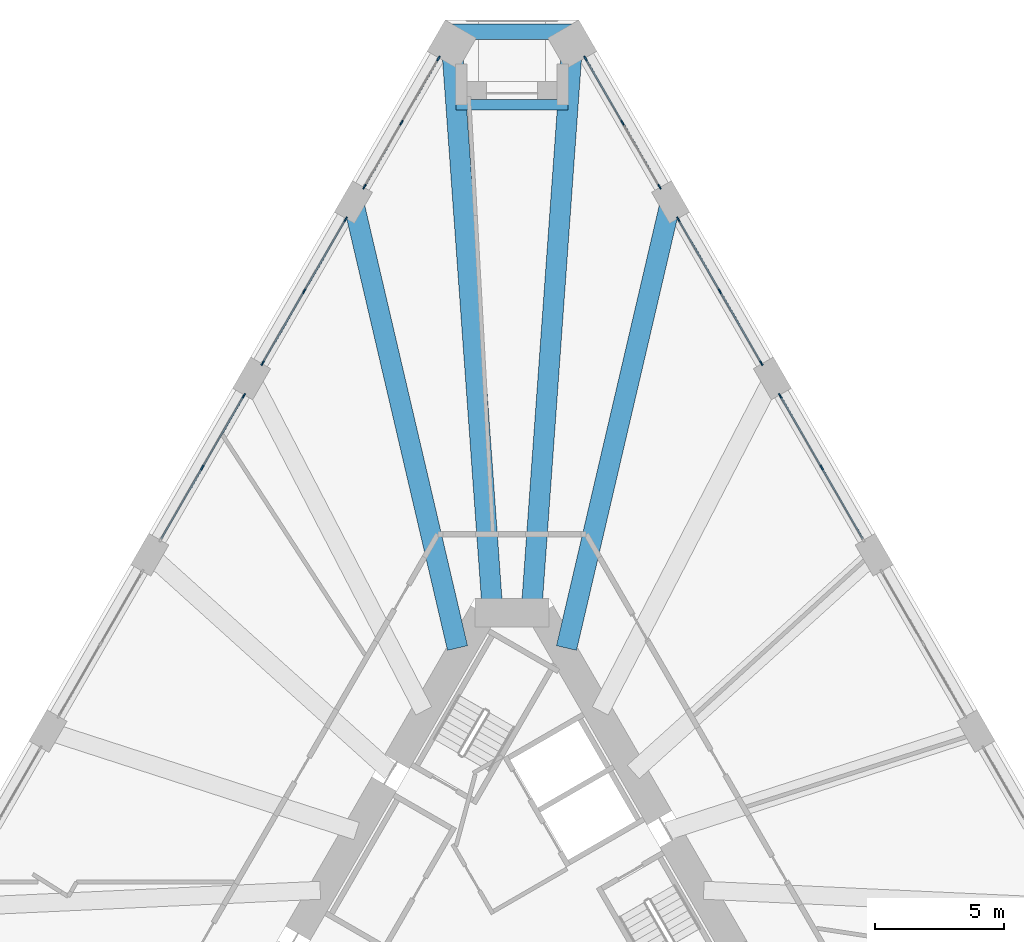
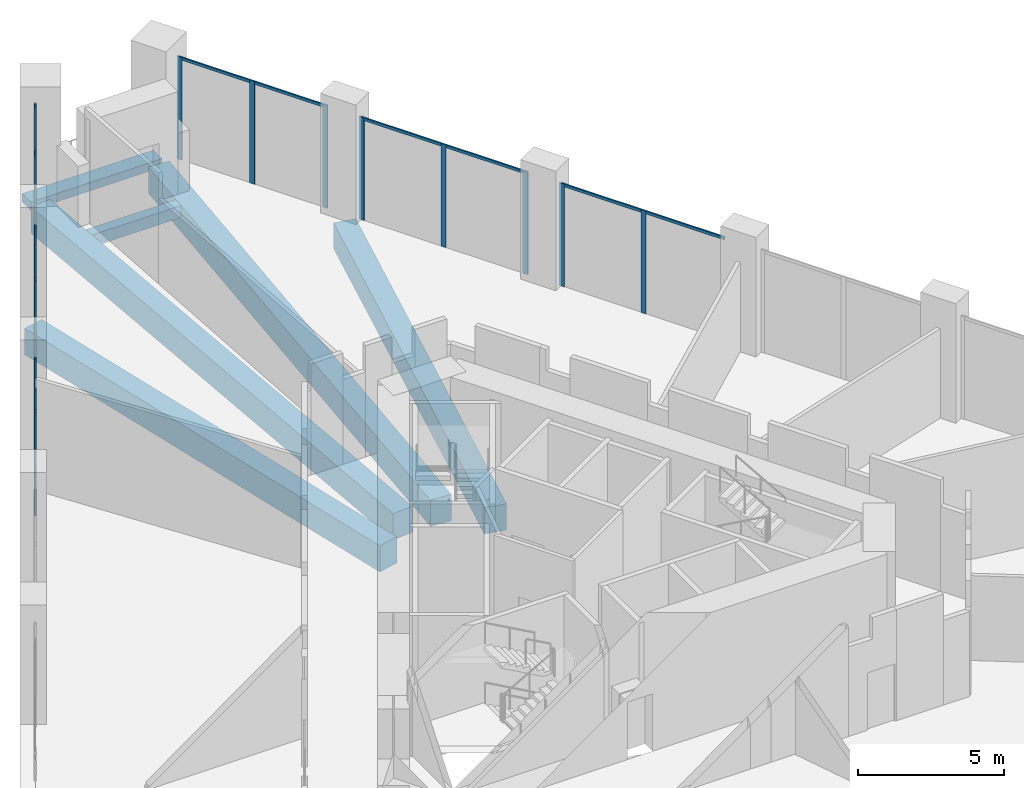
# One storey, part 11 of 20: 28 members, 6 beams, 6 elements without a shape of their own.
"""IFC4 building model written with IfcOpenShell, lengths in metres."""

import ifcopenshell
import ifcopenshell.guid

model = None  # the IFC model being written
_history = None  # IfcOwnerHistory: only IFC2X3 demands one
_inside = {}  # id of a spatial element -> (the spatial element, [elements in it])
_under = {}  # id of a project, library or spatial element -> (it, [spatial elements below it])
_declared = {}  # id of a project -> (the project, [libraries it declares])
_typed = {}  # id of a type object -> (the type object, [elements of that type])
_made_of = {}  # id of a material, layer set ... -> (it, [elements and type objects made of it])


def new_model(schema):
    """Start an empty IFC model of exactly this schema.

    Asked for "IFC4X3", IfcOpenShell would pick the latest addendum, in which some entities
    have other attributes; the version numbers below select the first issue.
    IFC2X3 requires an IfcOwnerHistory on every rooted entity: one is made here for all.
    """
    global model, _history
    if schema == "IFC4X3":
        model = ifcopenshell.file(schema_version=(4, 3, 0, 0))
    else:
        model = ifcopenshell.file(schema=schema)
    _inside.clear()
    _under.clear()
    _declared.clear()
    _typed.clear()
    _made_of.clear()
    _history = None
    if model.schema == "IFC2X3":
        org = make("IfcOrganization", Name="unknown")
        user = make(
            "IfcPersonAndOrganization",
            ThePerson=make("IfcPerson", FamilyName="unknown"),
            TheOrganization=org,
        )
        app = make(
            "IfcApplication",
            ApplicationDeveloper=org,
            Version="unknown",
            ApplicationFullName="unknown",
            ApplicationIdentifier="unknown",
        )
        _history = make(
            "IfcOwnerHistory",
            OwningUser=user,
            OwningApplication=app,
            ChangeAction="ADDED",
            CreationDate=0,
        )
    return model


def make(cls, **values):
    """One entity of the class cls with the attributes given. An attribute that is None is left unset."""
    return model.create_entity(
        cls, **{name: value for name, value in values.items() if value is not None}
    )


def rooted(cls, **values):
    """An entity with a GlobalId (a new one), such as an element, a storey or a relation."""
    return make(cls, GlobalId=ifcopenshell.guid.new(), OwnerHistory=_history, **values)


def si_unit(unit_type, name, prefix=None):
    """IfcSIUnit, for example si_unit("LENGTHUNIT", "METRE", prefix="MILLI")."""
    return make("IfcSIUnit", UnitType=unit_type, Prefix=prefix, Name=name)


def assignment(units):
    """IfcUnitAssignment: the units of a project."""
    return None if units is None else make("IfcUnitAssignment", Units=units)


def point(xyz):
    """IfcCartesianPoint."""
    return None if xyz is None else make("IfcCartesianPoint", Coordinates=xyz)


def direction(xyz):
    """IfcDirection."""
    return None if xyz is None else make("IfcDirection", DirectionRatios=xyz)


def frame(location, z_axis=None, x_axis=None):
    """IfcAxis2Placement3D, a coordinate frame: its origin and axes. An axis left out is left unset."""
    return make(
        "IfcAxis2Placement3D",
        Location=point(location),
        Axis=direction(z_axis),
        RefDirection=direction(x_axis),
    )


def frame_2d(location, x_axis=None):
    """IfcAxis2Placement2D, a coordinate frame in the plane: its origin and x axis."""
    return make(
        "IfcAxis2Placement2D", Location=point(location), RefDirection=direction(x_axis)
    )


def origin():
    """The frame at (0, 0, 0) with its axes left unset."""
    return frame((0.0, 0.0, 0.0))


def origin_2d():
    """The frame at (0, 0) in the plane with its x axis left unset."""
    return frame_2d((0.0, 0.0))


def place(relative_to, where):
    """IfcLocalPlacement: puts the frame where relative to a parent placement (None: the world)."""
    return make(
        "IfcLocalPlacement", PlacementRelTo=relative_to, RelativePlacement=where
    )


def context(
    kind, dimensions, precision=None, world=None, true_north=None, identifier=None
):
    """IfcGeometricRepresentationContext, for example the 3D "Model" context."""
    return make(
        "IfcGeometricRepresentationContext",
        ContextIdentifier=identifier,
        ContextType=kind,
        CoordinateSpaceDimension=dimensions,
        Precision=precision,
        WorldCoordinateSystem=world,
        TrueNorth=true_north,
    )


def subcontext(parent, identifier, kind, view, scale=None):
    """IfcGeometricRepresentationSubContext, for example "Body" below "Model"."""
    return make(
        "IfcGeometricRepresentationSubContext",
        ContextIdentifier=identifier,
        ContextType=kind,
        ParentContext=parent,
        TargetScale=scale,
        TargetView=view,
    )


def project(units=None, contexts=None):
    """IfcProject with its units and contexts."""
    return rooted(
        "IfcProject",
        Name="project",
        RepresentationContexts=contexts,
        UnitsInContext=assignment(units),
    )


def spatial(cls, under=None, at=None, **own):
    """A site, building, storey or space (cls), placed at a placement, below another one or the project."""
    s = rooted(cls, ObjectPlacement=at, **own)
    if under is not None:
        _under.setdefault(under.id(), (under, []))[1].append(s)
    return s


def profile(cls, at=None, kind="AREA", **sizes):
    """A parametric profile (cls). Its sizes go by their IFC names, for example OverallWidth=200.0."""
    return make(cls, ProfileType=kind, Position=at, **sizes)


def rectangle(**sizes):
    """IfcRectangleProfileDef."""
    return profile("IfcRectangleProfileDef", **sizes)


def extrude(swept, where, along, depth):
    """IfcExtrudedAreaSolid: the profile swept, set in the frame where, extruded along a direction by depth."""
    return make(
        "IfcExtrudedAreaSolid",
        SweptArea=swept,
        Position=where,
        ExtrudedDirection=direction(along),
        Depth=depth,
    )


def shape(context_of_items, identifier, shape_type, items):
    """IfcShapeRepresentation: the items that make up one representation, for example the "Body"."""
    return make(
        "IfcShapeRepresentation",
        ContextOfItems=context_of_items,
        RepresentationIdentifier=identifier,
        RepresentationType=shape_type,
        Items=items,
    )


def material(Name=None, Category=None):
    """IfcMaterial."""
    return make("IfcMaterial", Name=Name, Category=Category)


def layer(
    of_material, thickness, ventilated=None, Name=None, Category=None, Priority=None
):
    """IfcMaterialLayer: one layer of a wall or slab, of a material (None: an air gap)."""
    return make(
        "IfcMaterialLayer",
        Material=of_material,
        LayerThickness=thickness,
        IsVentilated=ventilated,
        Name=Name,
        Category=Category,
        Priority=Priority,
    )


def layer_set(layers, Name=None):
    """IfcMaterialLayerSet."""
    return make("IfcMaterialLayerSet", MaterialLayers=layers, LayerSetName=Name)


def material_profile(
    of_material, cross_section, Name=None, Category=None, Priority=None
):
    """IfcMaterialProfile: a cross section and its material."""
    return make(
        "IfcMaterialProfile",
        Name=Name,
        Material=of_material,
        Profile=cross_section,
        Priority=Priority,
        Category=Category,
    )


def profile_set(profiles, Name=None, composite=None):
    """IfcMaterialProfileSet."""
    return make(
        "IfcMaterialProfileSet",
        Name=Name,
        MaterialProfiles=profiles,
        CompositeProfile=composite,
    )


def made_of(thing, what):
    """Note that an element or type object is made of a material, layer set ...; save() writes the relation."""
    if what is not None:
        _made_of.setdefault(what.id(), (what, []))[1].append(thing)
    return thing


def type_object(cls, material=None, **own):
    """A type object (cls), such as IfcWallType, which elements share."""
    return made_of(rooted(cls, **own), material)


def element(
    cls,
    number,
    at=None,
    inside=None,
    cuts=None,
    type_object=None,
    material=None,
    context=None,
    identifier="Body",
    shape_type=None,
    held_by="IfcProductDefinitionShape",
    body=None,
    shapes=None,
    **own,
):
    """One element of the class cls, such as IfcWall. Its Tag is "e" and its number.

    at: its placement. inside: the storey or other place that contains it. cuts: it is an
    opening in that element (IfcRelVoidsElement). A single representation is given by context,
    identifier, shape_type and body (its items); several are given by shapes. held_by: the class
    of the entity that holds the representations. save() writes the other relations.
    """
    e = rooted(cls, Tag="e%d" % number, ObjectPlacement=at, **own)
    if body is not None:
        shapes = [shape(context, identifier, shape_type, body)]
    if shapes is not None:
        e.Representation = make(held_by, Representations=shapes)
    if inside is not None:
        _inside.setdefault(inside.id(), (inside, []))[1].append(e)
    if cuts is not None:
        rooted(
            "IfcRelVoidsElement", RelatingBuildingElement=cuts, RelatedOpeningElement=e
        )
    if type_object is not None:
        _typed.setdefault(type_object.id(), (type_object, []))[1].append(e)
    return made_of(e, material)


def aggregate(whole, parts):
    """IfcRelAggregates: a whole, such as a stair, and the parts it consists of."""
    return rooted("IfcRelAggregates", RelatingObject=whole, RelatedObjects=parts)


def save(model, path):
    """Write the relations noted so far, then the file.

    IfcRelAggregates (storeys below a building ...), IfcRelContainedInSpatialStructure (elements
    in a storey), IfcRelDefinesByType, IfcRelAssociatesMaterial and IfcRelDeclares: one each for
    every whole, place, type object, material and project.
    """
    for whole, parts in _under.values():
        aggregate(whole, parts)
    for where, things in _inside.values():
        rooted(
            "IfcRelContainedInSpatialStructure",
            RelatedElements=things,
            RelatingStructure=where,
        )
    for kind, things in _typed.values():
        rooted("IfcRelDefinesByType", RelatedObjects=things, RelatingType=kind)
    for what, things in _made_of.values():
        rooted("IfcRelAssociatesMaterial", RelatedObjects=things, RelatingMaterial=what)
    for by, libraries in _declared.values():
        rooted("IfcRelDeclares", RelatingContext=by, RelatedDefinitions=libraries)
    model.write(path)


model = new_model("IFC4")

# Units and contexts
model_context = context("Model", 3, precision=1e-05, world=origin(), true_north=direction((0.0, 1.0)))
body_context = subcontext(model_context, "Body", "Model", "MODEL_VIEW")
ifc_project = project(units=[si_unit("LENGTHUNIT", "METRE"), si_unit("AREAUNIT", "SQUARE_METRE"), si_unit("VOLUMEUNIT", "CUBIC_METRE"), si_unit("PLANEANGLEUNIT", "RADIAN"), si_unit("MASSUNIT", "GRAM", prefix="KILO")], contexts=[model_context])

# Site, building, storey
site_placement = place(None, origin())
site = spatial("IfcSite", under=ifc_project, at=site_placement, CompositionType="ELEMENT")
building_placement = place(site_placement, origin())
building = spatial("IfcBuilding", under=site, at=building_placement, Name="Tramontana Tower", CompositionType="ELEMENT")
storey_placement = place(building_placement, frame((0.0, 0.0, 10.0)))
storey = spatial("IfcBuildingStorey", under=building, at=storey_placement, Name="L01", CompositionType="ELEMENT", Elevation=10.0)

# Curtain wall, members
ifc_material_1 = material(Name="Aluminum extrusion", Category="aluminium")
ifc_layer = layer(ifc_material_1, 0.14990234375)
ifc_layer_set = layer_set([ifc_layer], Name="CW2 Podium amenity curtain wall")
curtain_wall_type = type_object("IfcCurtainWallType", Name="CW2 Podium amenity curtain wall", PredefinedType="NOTDEFINED", material=ifc_layer_set)
curtain_wall_1_placement = place(storey_placement, origin())
curtain_wall_1 = element("IfcCurtainWall", 1, at=curtain_wall_1_placement, inside=storey, type_object=curtain_wall_type, Name="CW2 curtain wall L01 face 0 bay 1", PredefinedType="NOTDEFINED")
ifc_material_2 = material(Name="Aluminum extrusion", Category="aluminium")
ifc_material_profile_1 = material_profile(ifc_material_2, rectangle(XDim=0.06005859375, YDim=0.199951171875, at=origin_2d()), Name="CW2-M Mullion 60 x 200")
ifc_profile_set_1 = profile_set([ifc_material_profile_1], Name="Aluminum extrusion")
member_type_1 = type_object("IfcMemberType", Name="CW2-M Mullion 60 x 200", PredefinedType="MULLION", material=ifc_profile_set_1)
member_1_placement = place(storey_placement, frame((-2.8583984375, 31.9990234375, 0.0), z_axis=(0.0, 0.0, 1.0), x_axis=(0.866025403784, -0.5, 0.0)))
member_1 = element("IfcMember", 2, at=member_1_placement, type_object=member_type_1, Name="CW2 curtain wall L01 face 0 bay 1 mullion 1", PredefinedType="MULLION", context=body_context, shape_type="SweptSolid", body=[
    extrude(rectangle(XDim=0.06005859375, YDim=0.199951171875, at=origin_2d()), origin(), (0.0, 0.0, 1.0), 4.300048828125),
])
member_2_placement = place(storey_placement, frame((-4.2978515625, 29.505859375, 0.0), z_axis=(0.0, 0.0, 1.0), x_axis=(0.866025403784, -0.5, 0.0)))
member_2 = element("IfcMember", 3, at=member_2_placement, type_object=member_type_1, Name="CW2 curtain wall L01 face 0 bay 1 mullion 2", PredefinedType="MULLION", context=body_context, shape_type="SweptSolid", body=[
    extrude(rectangle(XDim=0.06005859375, YDim=0.199951171875, at=origin_2d()), origin(), (0.0, 0.0, 1.0), 4.300048828125),
])
member_3_placement = place(storey_placement, frame((-5.7373046875, 27.012451171875, 0.0), z_axis=(0.0, 0.0, 1.0), x_axis=(0.866025403784, -0.5, 0.0)))
member_3 = element("IfcMember", 4, at=member_3_placement, type_object=member_type_1, Name="CW2 curtain wall L01 face 0 bay 1 mullion 3", PredefinedType="MULLION", context=body_context, shape_type="SweptSolid", body=[
    extrude(rectangle(XDim=0.06005859375, YDim=0.199951171875, at=origin_2d()), origin(), (0.0, 0.0, 1.0), 4.300048828125),
])

curtain_wall_2_placement = place(storey_placement, origin())
curtain_wall_2 = element("IfcCurtainWall", 5, at=curtain_wall_2_placement, inside=storey, type_object=curtain_wall_type, Name="CW2 curtain wall L01 face 0 bay 2", PredefinedType="NOTDEFINED")
member_4_placement = place(storey_placement, frame((-6.46728515625, 25.748046875, 0.0), z_axis=(0.0, 0.0, 1.0), x_axis=(0.866025403784, -0.5, 0.0)))
member_4 = element("IfcMember", 6, at=member_4_placement, type_object=member_type_1, Name="CW2 curtain wall L01 face 0 bay 2 mullion 1", PredefinedType="MULLION", context=body_context, shape_type="SweptSolid", body=[
    extrude(rectangle(XDim=0.06005859375, YDim=0.199951171875, at=origin_2d()), origin(), (0.0, 0.0, 1.0), 4.300048828125),
])
member_5_placement = place(storey_placement, frame((-8.081787109375, 22.951904296875, 0.0), z_axis=(0.0, 0.0, 1.0), x_axis=(0.866025403784, -0.5, 0.0)))
member_5 = element("IfcMember", 7, at=member_5_placement, type_object=member_type_1, Name="CW2 curtain wall L01 face 0 bay 2 mullion 2", PredefinedType="MULLION", context=body_context, shape_type="SweptSolid", body=[
    extrude(rectangle(XDim=0.06005859375, YDim=0.199951171875, at=origin_2d()), origin(), (0.0, 0.0, 1.0), 4.300048828125),
])
member_6_placement = place(storey_placement, frame((-9.6962890625, 20.155517578125, 0.0), z_axis=(0.0, 0.0, 1.0), x_axis=(0.866025403784, -0.5, 0.0)))
member_6 = element("IfcMember", 8, at=member_6_placement, type_object=member_type_1, Name="CW2 curtain wall L01 face 0 bay 2 mullion 3", PredefinedType="MULLION", context=body_context, shape_type="SweptSolid", body=[
    extrude(rectangle(XDim=0.06005859375, YDim=0.199951171875, at=origin_2d()), origin(), (0.0, 0.0, 1.0), 4.300048828125),
])

curtain_wall_3_placement = place(storey_placement, origin())
curtain_wall_3 = element("IfcCurtainWall", 9, at=curtain_wall_3_placement, inside=storey, type_object=curtain_wall_type, Name="CW2 curtain wall L01 face 0 bay 3", PredefinedType="NOTDEFINED")
member_7_placement = place(storey_placement, frame((-10.42626953125, 18.89111328125, 0.0), z_axis=(0.0, 0.0, 1.0), x_axis=(0.866025403784, -0.5, 0.0)))
member_7 = element("IfcMember", 10, at=member_7_placement, type_object=member_type_1, Name="CW2 curtain wall L01 face 0 bay 3 mullion 1", PredefinedType="MULLION", context=body_context, shape_type="SweptSolid", body=[
    extrude(rectangle(XDim=0.06005859375, YDim=0.199951171875, at=origin_2d()), origin(), (0.0, 0.0, 1.0), 4.300048828125),
])
member_8_placement = place(storey_placement, frame((-12.040771484375, 16.0947265625, 0.0), z_axis=(0.0, 0.0, 1.0), x_axis=(0.866025403784, -0.5, 0.0)))
member_8 = element("IfcMember", 11, at=member_8_placement, type_object=member_type_1, Name="CW2 curtain wall L01 face 0 bay 3 mullion 2", PredefinedType="MULLION", context=body_context, shape_type="SweptSolid", body=[
    extrude(rectangle(XDim=0.06005859375, YDim=0.199951171875, at=origin_2d()), origin(), (0.0, 0.0, 1.0), 4.300048828125),
])

curtain_wall_4_placement = place(storey_placement, origin())
curtain_wall_4 = element("IfcCurtainWall", 12, at=curtain_wall_4_placement, inside=storey, type_object=curtain_wall_type, Name="CW2 curtain wall L01 face 2 bay 5", PredefinedType="NOTDEFINED")
member_9_placement = place(storey_placement, frame((12.040771484375, 16.0947265625, 0.0), z_axis=(0.0, 0.0, 1.0), x_axis=(-0.866025403784, -0.5, 0.0)))
member_9 = element("IfcMember", 13, at=member_9_placement, type_object=member_type_1, Name="CW2 curtain wall L01 face 2 bay 5 mullion 2", PredefinedType="MULLION", context=body_context, shape_type="SweptSolid", body=[
    extrude(rectangle(XDim=0.06005859375, YDim=0.199951171875, at=origin_2d()), origin(), (0.0, 0.0, 1.0), 4.300048828125),
])
member_10_placement = place(storey_placement, frame((10.42626953125, 18.89111328125, 0.0), z_axis=(0.0, 0.0, 1.0), x_axis=(-0.866025403784, -0.5, 0.0)))
member_10 = element("IfcMember", 14, at=member_10_placement, type_object=member_type_1, Name="CW2 curtain wall L01 face 2 bay 5 mullion 3", PredefinedType="MULLION", context=body_context, shape_type="SweptSolid", body=[
    extrude(rectangle(XDim=0.06005859375, YDim=0.199951171875, at=origin_2d()), origin(), (0.0, 0.0, 1.0), 4.300048828125),
])

curtain_wall_5_placement = place(storey_placement, origin())
curtain_wall_5 = element("IfcCurtainWall", 15, at=curtain_wall_5_placement, inside=storey, type_object=curtain_wall_type, Name="CW2 curtain wall L01 face 2 bay 6", PredefinedType="NOTDEFINED")
member_11_placement = place(storey_placement, frame((9.6962890625, 20.155517578125, 0.0), z_axis=(0.0, 0.0, 1.0), x_axis=(-0.866025403784, -0.5, 0.0)))
member_11 = element("IfcMember", 16, at=member_11_placement, type_object=member_type_1, Name="CW2 curtain wall L01 face 2 bay 6 mullion 1", PredefinedType="MULLION", context=body_context, shape_type="SweptSolid", body=[
    extrude(rectangle(XDim=0.06005859375, YDim=0.199951171875, at=origin_2d()), origin(), (0.0, 0.0, 1.0), 4.300048828125),
])
member_12_placement = place(storey_placement, frame((8.081787109375, 22.951904296875, 0.0), z_axis=(0.0, 0.0, 1.0), x_axis=(-0.866025403784, -0.5, 0.0)))
member_12 = element("IfcMember", 17, at=member_12_placement, type_object=member_type_1, Name="CW2 curtain wall L01 face 2 bay 6 mullion 2", PredefinedType="MULLION", context=body_context, shape_type="SweptSolid", body=[
    extrude(rectangle(XDim=0.06005859375, YDim=0.199951171875, at=origin_2d()), origin(), (0.0, 0.0, 1.0), 4.300048828125),
])
member_13_placement = place(storey_placement, frame((6.46728515625, 25.748046875, 0.0), z_axis=(0.0, 0.0, 1.0), x_axis=(-0.866025403784, -0.5, 0.0)))
member_13 = element("IfcMember", 18, at=member_13_placement, type_object=member_type_1, Name="CW2 curtain wall L01 face 2 bay 6 mullion 3", PredefinedType="MULLION", context=body_context, shape_type="SweptSolid", body=[
    extrude(rectangle(XDim=0.06005859375, YDim=0.199951171875, at=origin_2d()), origin(), (0.0, 0.0, 1.0), 4.300048828125),
])

curtain_wall_6_placement = place(storey_placement, origin())
curtain_wall_6 = element("IfcCurtainWall", 19, at=curtain_wall_6_placement, inside=storey, type_object=curtain_wall_type, Name="CW2 curtain wall L01 face 2 bay 7", PredefinedType="NOTDEFINED")
member_14_placement = place(storey_placement, frame((5.7373046875, 27.012451171875, 0.0), z_axis=(0.0, 0.0, 1.0), x_axis=(-0.866025403784, -0.5, 0.0)))
member_14 = element("IfcMember", 20, at=member_14_placement, type_object=member_type_1, Name="CW2 curtain wall L01 face 2 bay 7 mullion 1", PredefinedType="MULLION", context=body_context, shape_type="SweptSolid", body=[
    extrude(rectangle(XDim=0.06005859375, YDim=0.199951171875, at=origin_2d()), origin(), (0.0, 0.0, 1.0), 4.300048828125),
])
member_15_placement = place(storey_placement, frame((4.2978515625, 29.505859375, 0.0), z_axis=(0.0, 0.0, 1.0), x_axis=(-0.866025403784, -0.5, 0.0)))
member_15 = element("IfcMember", 21, at=member_15_placement, type_object=member_type_1, Name="CW2 curtain wall L01 face 2 bay 7 mullion 2", PredefinedType="MULLION", context=body_context, shape_type="SweptSolid", body=[
    extrude(rectangle(XDim=0.06005859375, YDim=0.199951171875, at=origin_2d()), origin(), (0.0, 0.0, 1.0), 4.300048828125),
])
member_16_placement = place(storey_placement, frame((2.8583984375, 31.9990234375, 0.0), z_axis=(0.0, 0.0, 1.0), x_axis=(-0.866025403784, -0.5, 0.0)))
member_16 = element("IfcMember", 22, at=member_16_placement, type_object=member_type_1, Name="CW2 curtain wall L01 face 2 bay 7 mullion 3", PredefinedType="MULLION", context=body_context, shape_type="SweptSolid", body=[
    extrude(rectangle(XDim=0.06005859375, YDim=0.199951171875, at=origin_2d()), origin(), (0.0, 0.0, 1.0), 4.300048828125),
])

# Member
ifc_material_3 = material(Name="Aluminum extrusion", Category="aluminium")
ifc_material_profile_2 = material_profile(ifc_material_3, rectangle(XDim=0.06005859375, YDim=0.1201171875, at=origin_2d()), Name="CW2-T Transom 60 x 120")
ifc_profile_set_2 = profile_set([ifc_material_profile_2], Name="Aluminum extrusion")
member_type_2 = type_object("IfcMemberType", Name="CW2-T Transom 60 x 120", PredefinedType="USERDEFINED", material=ifc_profile_set_2)
member_17_placement = place(storey_placement, frame((-2.873291015625, 31.97314453125, 4.239990234375), z_axis=(-0.500032300065, -0.86600675453, 0.0), x_axis=(0.86600675453, -0.500032300065, 0.0)))
member_17 = element("IfcMember", 23, at=member_17_placement, type_object=member_type_2, Name="CW2 curtain wall L01 face 0 bay 1 transom 1.1", ObjectType="TRANSOM", PredefinedType="USERDEFINED", context=body_context, shape_type="SweptSolid", body=[
    extrude(rectangle(XDim=0.06005859375, YDim=0.1201171875, at=origin_2d()), origin(), (0.0, 0.0, 1.0), 2.819091796875),
])

member_18_placement = place(storey_placement, frame((-4.31298828125, 29.479736328125, 4.239990234375), z_axis=(-0.500004849665, -0.866022603811, 0.0), x_axis=(0.866022603811, -0.500004849665, 0.0)))
member_18 = element("IfcMember", 24, at=member_18_placement, type_object=member_type_2, Name="CW2 curtain wall L01 face 0 bay 1 transom 2.1", ObjectType="TRANSOM", PredefinedType="USERDEFINED", context=body_context, shape_type="SweptSolid", body=[
    extrude(rectangle(XDim=0.06005859375, YDim=0.1201171875, at=origin_2d()), origin(), (0.0, 0.0, 1.0), 2.81884765625),
])

aggregate(curtain_wall_1, [member_1, member_2, member_3, member_17, member_18])

member_19_placement = place(storey_placement, frame((-6.482421875, 25.72216796875, 4.239990234375), z_axis=(-0.500000324964, -0.866025216166, 0.0), x_axis=(0.866025216166, -0.500000324964, 0.0)))
member_19 = element("IfcMember", 25, at=member_19_placement, type_object=member_type_2, Name="CW2 curtain wall L01 face 0 bay 2 transom 1.1", ObjectType="TRANSOM", PredefinedType="USERDEFINED", context=body_context, shape_type="SweptSolid", body=[
    extrude(rectangle(XDim=0.06005859375, YDim=0.1201171875, at=origin_2d()), origin(), (0.0, 0.0, 1.0), 3.1689453125),
])

member_20_placement = place(storey_placement, frame((-8.096923828125, 22.92578125, 4.239990234375), z_axis=(-0.500000324964, -0.866025216166, 0.0), x_axis=(0.866025216166, -0.500000324964, 0.0)))
member_20 = element("IfcMember", 26, at=member_20_placement, type_object=member_type_2, Name="CW2 curtain wall L01 face 0 bay 2 transom 2.1", ObjectType="TRANSOM", PredefinedType="USERDEFINED", context=body_context, shape_type="SweptSolid", body=[
    extrude(rectangle(XDim=0.06005859375, YDim=0.1201171875, at=origin_2d()), origin(), (0.0, 0.0, 1.0), 3.1689453125),
])

aggregate(curtain_wall_2, [member_4, member_5, member_6, member_19, member_20])

member_21_placement = place(storey_placement, frame((-10.44140625, 18.864990234375, 4.239990234375), z_axis=(-0.500000324964, -0.866025216166, 0.0), x_axis=(0.866025216166, -0.500000324964, 0.0)))
member_21 = element("IfcMember", 27, at=member_21_placement, type_object=member_type_2, Name="CW2 curtain wall L01 face 0 bay 3 transom 1.1", ObjectType="TRANSOM", PredefinedType="USERDEFINED", context=body_context, shape_type="SweptSolid", body=[
    extrude(rectangle(XDim=0.06005859375, YDim=0.1201171875, at=origin_2d()), origin(), (0.0, 0.0, 1.0), 3.1689453125),
])

member_22_placement = place(storey_placement, frame((-12.055908203125, 16.068603515625, 4.239990234375), z_axis=(-0.500000324964, -0.866025216166, 0.0), x_axis=(0.866025216166, -0.500000324964, 0.0)))
member_22 = element("IfcMember", 28, at=member_22_placement, type_object=member_type_2, Name="CW2 curtain wall L01 face 0 bay 3 transom 2.1", ObjectType="TRANSOM", PredefinedType="USERDEFINED", context=body_context, shape_type="SweptSolid", body=[
    extrude(rectangle(XDim=0.06005859375, YDim=0.1201171875, at=origin_2d()), origin(), (0.0, 0.0, 1.0), 3.1689453125),
])

aggregate(curtain_wall_3, [member_7, member_8, member_21, member_22])

member_23_placement = place(storey_placement, frame((13.640380859375, 13.32421875, 4.239990234375), z_axis=(-0.500000324964, 0.866025216166, 0.0), x_axis=(-0.866025216166, -0.500000324964, 0.0)))
member_23 = element("IfcMember", 29, at=member_23_placement, type_object=member_type_2, Name="CW2 curtain wall L01 face 2 bay 5 transom 1.1", ObjectType="TRANSOM", PredefinedType="USERDEFINED", context=body_context, shape_type="SweptSolid", body=[
    extrude(rectangle(XDim=0.06005859375, YDim=0.1201171875, at=origin_2d()), origin(), (0.0, 0.0, 1.0), 3.1689453125),
])

member_24_placement = place(storey_placement, frame((12.02587890625, 16.12060546875, 4.239990234375), z_axis=(-0.500000324964, 0.866025216166, 0.0), x_axis=(-0.866025216166, -0.500000324964, 0.0)))
member_24 = element("IfcMember", 30, at=member_24_placement, type_object=member_type_2, Name="CW2 curtain wall L01 face 2 bay 5 transom 2.1", ObjectType="TRANSOM", PredefinedType="USERDEFINED", context=body_context, shape_type="SweptSolid", body=[
    extrude(rectangle(XDim=0.06005859375, YDim=0.1201171875, at=origin_2d()), origin(), (0.0, 0.0, 1.0), 3.1689453125),
])

aggregate(curtain_wall_4, [member_9, member_10, member_23, member_24])

member_25_placement = place(storey_placement, frame((9.681396484375, 20.181396484375, 4.239990234375), z_axis=(-0.500000324964, 0.866025216166, 0.0), x_axis=(-0.866025216166, -0.500000324964, 0.0)))
member_25 = element("IfcMember", 31, at=member_25_placement, type_object=member_type_2, Name="CW2 curtain wall L01 face 2 bay 6 transom 1.1", ObjectType="TRANSOM", PredefinedType="USERDEFINED", context=body_context, shape_type="SweptSolid", body=[
    extrude(rectangle(XDim=0.06005859375, YDim=0.1201171875, at=origin_2d()), origin(), (0.0, 0.0, 1.0), 3.1689453125),
])

member_26_placement = place(storey_placement, frame((8.06689453125, 22.977783203125, 4.239990234375), z_axis=(-0.500000324964, 0.866025216166, 0.0), x_axis=(-0.866025216166, -0.500000324964, 0.0)))
member_26 = element("IfcMember", 32, at=member_26_placement, type_object=member_type_2, Name="CW2 curtain wall L01 face 2 bay 6 transom 2.1", ObjectType="TRANSOM", PredefinedType="USERDEFINED", context=body_context, shape_type="SweptSolid", body=[
    extrude(rectangle(XDim=0.06005859375, YDim=0.1201171875, at=origin_2d()), origin(), (0.0, 0.0, 1.0), 3.1689453125),
])

aggregate(curtain_wall_5, [member_11, member_12, member_13, member_25, member_26])

member_27_placement = place(storey_placement, frame((5.722412109375, 27.03857421875, 4.239990234375), z_axis=(-0.500004849665, 0.866022603811, 0.0), x_axis=(-0.866022603811, -0.500004849665, 0.0)))
member_27 = element("IfcMember", 33, at=member_27_placement, type_object=member_type_2, Name="CW2 curtain wall L01 face 2 bay 7 transom 1.1", ObjectType="TRANSOM", PredefinedType="USERDEFINED", context=body_context, shape_type="SweptSolid", body=[
    extrude(rectangle(XDim=0.06005859375, YDim=0.1201171875, at=origin_2d()), origin(), (0.0, 0.0, 1.0), 2.81884765625),
])

member_28_placement = place(storey_placement, frame((4.282958984375, 29.53173828125, 4.239990234375), z_axis=(-0.500032300065, 0.86600675453, 0.0), x_axis=(-0.86600675453, -0.500032300065, 0.0)))
member_28 = element("IfcMember", 34, at=member_28_placement, type_object=member_type_2, Name="CW2 curtain wall L01 face 2 bay 7 transom 2.1", ObjectType="TRANSOM", PredefinedType="USERDEFINED", context=body_context, shape_type="SweptSolid", body=[
    extrude(rectangle(XDim=0.06005859375, YDim=0.1201171875, at=origin_2d()), origin(), (0.0, 0.0, 1.0), 2.819091796875),
])

aggregate(curtain_wall_6, [member_14, member_15, member_16, member_27, member_28])

# Beams
ifc_material_4 = material(Name="Concrete 40 MPa", Category="concrete")
ifc_material_profile_3 = material_profile(ifc_material_4, rectangle(XDim=0.60009765625, YDim=0.35009765625, at=origin_2d()), Name="RC EDGE BEAM 600X350 40 MPa")
ifc_profile_set_3 = profile_set([ifc_material_profile_3], Name="Concrete 40 MPa")
beam_type_1 = type_object("IfcBeamType", Name="RC EDGE BEAM 600X350 40 MPa", PredefinedType="SPANDREL", material=ifc_profile_set_3)
beam_1_placement = place(storey_placement, frame((2.59814453125, 33.050048828125, -0.52490234375), z_axis=(-1.0, 0.0, 0.0), x_axis=(0.0, -1.0, 0.0)))
element("IfcBeam", 35, at=beam_1_placement, inside=storey, type_object=beam_type_1, Name="Spandrel beam K0 L01", PredefinedType="SPANDREL", context=body_context, shape_type="SweptSolid", body=[
    extrude(rectangle(XDim=0.60009765625, YDim=0.35009765625, at=origin_2d()), origin(), (0.0, 0.0, 1.0), 5.1962890625),
])
ifc_material_5 = material(Name="Concrete 40 MPa", Category="concrete")
ifc_material_profile_4 = material_profile(ifc_material_5, rectangle(XDim=0.800048828125, YDim=1.10009765625, at=origin_2d()), Name="RC GIRDER 800X1100 40 MPa")
ifc_profile_set_4 = profile_set([ifc_material_profile_4], Name="Concrete 40 MPa")
beam_type_2 = type_object("IfcBeamType", Name="RC GIRDER 800X1100 40 MPa", PredefinedType="BEAM", material=ifc_profile_set_4)
beam_2_placement = place(storey_placement, frame((-2.341796875, 32.543701171875, -0.89990234375), z_axis=(0.071767165612, -0.997421412413, 0.0), x_axis=(0.997421412413, 0.071767165612, 0.0)))
element("IfcBeam", 36, at=beam_2_placement, inside=storey, type_object=beam_type_2, Name="Radial girder C0K1 L01", PredefinedType="BEAM", context=body_context, shape_type="SweptSolid", body=[
    extrude(rectangle(XDim=0.800048828125, YDim=1.10009765625, at=origin_2d()), origin(), (0.0, 0.0, 1.0), 22.1494140625),
])
for number, where, z_axis, x_axis, name in (
    (37, (-6.167236328125, 26.41796875, -0.89990234375), (0.227334068495, -0.973816831494, 0.0), (0.973816831494, 0.227334068495, 0.0), "Radial girder C0F01 L01"),
    (38, (6.167236328125, 26.41796875, -0.89990234375), (-0.227334068495, -0.973816831494, 0.0), (0.973816831494, -0.227334068495, 0.0), "Radial girder C0F18 L01"),
):
    element("IfcBeam", number, at=place(storey_placement, frame(where, z_axis=z_axis, x_axis=x_axis)), inside=storey, type_object=beam_type_2, Name=name, PredefinedType="BEAM", context=body_context, shape_type="SweptSolid", body=[
        extrude(rectangle(XDim=0.800048828125, YDim=1.10009765625, at=origin_2d()), origin(), (0.0, 0.0, 1.0), 17.806884765625),
    ])
beam_3_placement = place(storey_placement, frame((2.341796875, 32.543701171875, -0.89990234375), z_axis=(-0.071767165612, -0.997421412413, 0.0), x_axis=(0.997421412413, -0.071767165612, 0.0)))
element("IfcBeam", 39, at=beam_3_placement, inside=storey, type_object=beam_type_2, Name="Radial girder C0K6 L01", PredefinedType="BEAM", context=body_context, shape_type="SweptSolid", body=[
    extrude(rectangle(XDim=0.800048828125, YDim=1.10009765625, at=origin_2d()), origin(), (0.0, 0.0, 1.0), 22.1494140625),
])
ifc_material_6 = material(Name="Concrete 40 MPa", Category="concrete")
ifc_material_profile_5 = material_profile(ifc_material_6, rectangle(XDim=0.39990234375, YDim=0.5, at=origin_2d()), Name="RC TRIM BEAM 400X500 40 MPa")
ifc_profile_set_5 = profile_set([ifc_material_profile_5], Name="Concrete 40 MPa")
beam_type_3 = type_object("IfcBeamType", Name="RC TRIM BEAM 400X500 40 MPa", PredefinedType="JOIST", material=ifc_profile_set_5)
beam_4_placement = place(storey_placement, frame((2.173095703125, 30.199951171875, -0.60009765625), z_axis=(-1.0, 0.0, 0.0), x_axis=(0.0, -1.0, 0.0)))
element("IfcBeam", 40, at=beam_4_placement, inside=storey, type_object=beam_type_3, Name="Trimmer beam K0 L01", PredefinedType="JOIST", context=body_context, shape_type="SweptSolid", body=[
    extrude(rectangle(XDim=0.39990234375, YDim=0.5, at=origin_2d()), origin(), (0.0, 0.0, 1.0), 4.34619140625),
])

save(model, "model.ifc")
